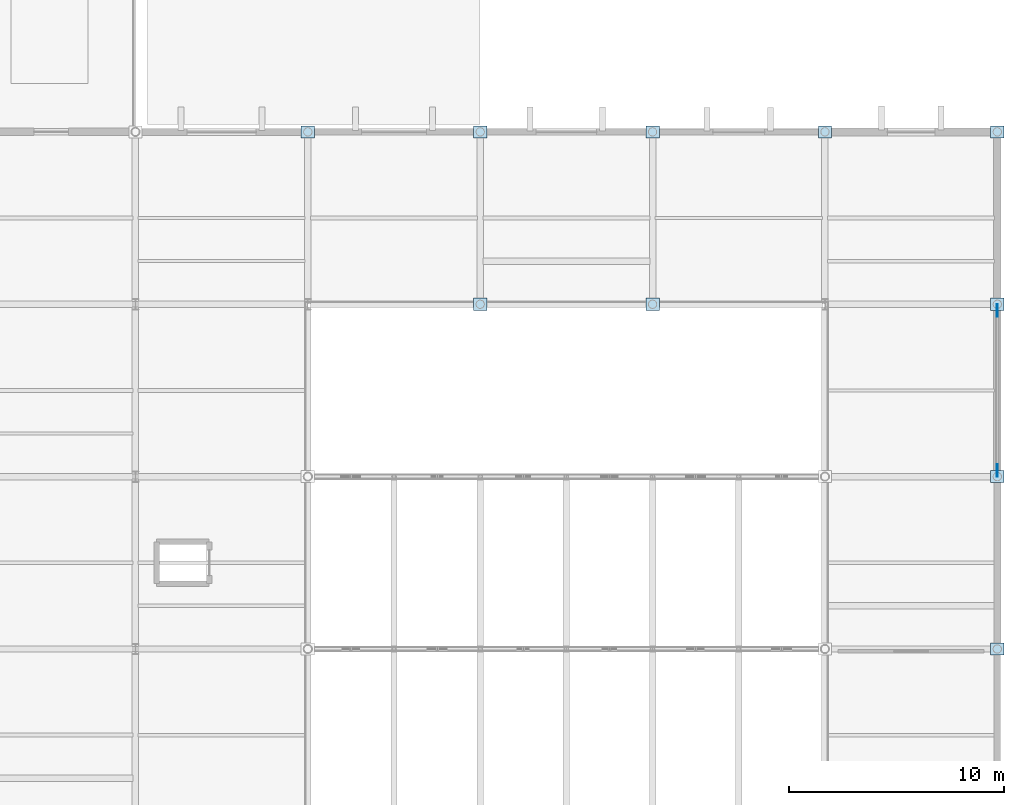
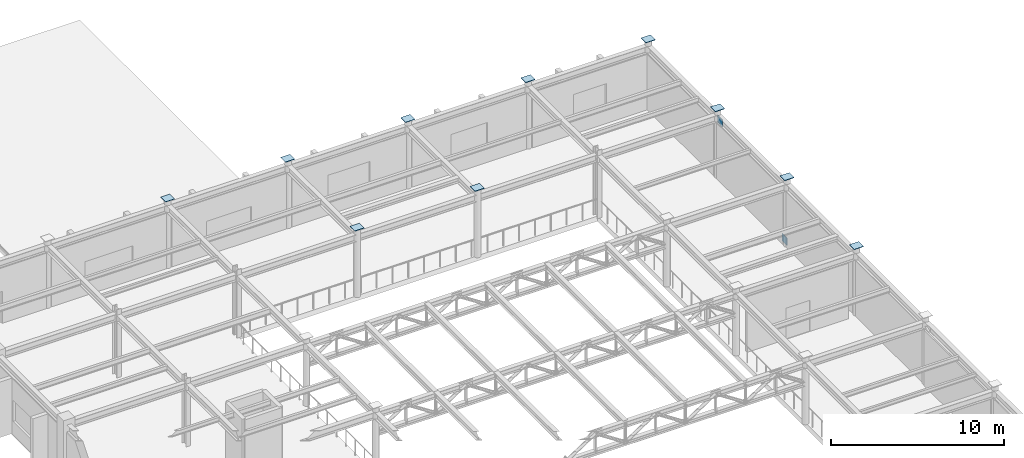
# One storey, part 29 of 46: 12 plates.
"""IFC4 building model written with IfcOpenShell, lengths in metres."""

from ifc_helpers import new_model, si_unit, direction, frame, origin, origin_2d, place, context, subcontext, project, spatial, rectangle, extrude, material, layer, layer_set, type_object, element, save


model = new_model("IFC4")

# Units and contexts
model_context = context("Model", 3, precision=1e-05, world=origin(), true_north=direction((0.0, 1.0)))
body_context = subcontext(model_context, "Body", "Model", "MODEL_VIEW")
ifc_project = project(units=[si_unit("LENGTHUNIT", "METRE"), si_unit("AREAUNIT", "SQUARE_METRE"), si_unit("VOLUMEUNIT", "CUBIC_METRE"), si_unit("PLANEANGLEUNIT", "RADIAN"), si_unit("MASSUNIT", "GRAM", prefix="KILO")], contexts=[model_context])

# Site, building, storey
site_placement = place(None, origin())
site = spatial("IfcSite", under=ifc_project, at=site_placement, CompositionType="ELEMENT")
building_placement = place(site_placement, origin())
building = spatial("IfcBuilding", under=site, at=building_placement, Name="Tazarka Park Arena", CompositionType="ELEMENT")
storey_placement = place(building_placement, frame((0.0, 0.0, 10.199951171875)))
storey = spatial("IfcBuildingStorey", under=building, at=storey_placement, Name="L02", CompositionType="ELEMENT", Elevation=10.199951171875)

# Plates
ifc_material_1 = material(Name="Steel S460", Category="steel")
ifc_layer_1 = layer(ifc_material_1, 0.030029296875, Name="Steel S460")
ifc_layer_set_1 = layer_set([ifc_layer_1], Name="Steel S460")
plate_type_1 = type_object("IfcPlateType", Name="PLT-PL-01", PredefinedType="SHEET", material=ifc_layer_set_1)
for number, where, z_axis, x_axis, name in (
    (1, (152.0, 104.0, 4.7998046875), (0.0, 0.0, 1.0), (1.0, 0.0, 0.0), "CPL-L02-19-13"),
    (2, (160.0, 96.0, 4.7998046875), (0.0, 0.0, 1.0), (1.0, 0.0, 0.0), "CPL-L02-20-12"),
    (3, (160.0, 104.0, 4.7998046875), (0.0, 0.0, 1.0), (1.0, 0.0, 0.0), "CPL-L02-20-13"),
    (4, (168.0, 96.0, 4.7998046875), (0.0, 0.0, 1.0), (1.0, 0.0, 0.0), "CPL-L02-21-12"),
    (5, (168.0, 104.0, 4.7998046875), (0.0, 0.0, 1.0), (1.0, 0.0, 0.0), "CPL-L02-21-13"),
    (6, (176.0, 104.0, 4.7998046875), (0.0, 0.0, 1.0), (1.0, 0.0, 0.0), "CPL-L02-22-13"),
    (7, (184.0, 80.0, 4.7998046875), (0.0, 0.0, 1.0), (1.0, 0.0, 0.0), "CPL-L02-23-10"),
    (8, (184.0, 88.0, 4.7998046875), (0.0, 0.0, 1.0), (1.0, 0.0, 0.0), "CPL-L02-23-11"),
    (9, (184.0, 96.0, 4.7998046875), (0.0, 0.0, 1.0), (1.0, 0.0, 0.0), "CPL-L02-23-12"),
    (10, (184.0, 104.0, 4.7998046875), (0.0, 0.0, 1.0), (1.0, 0.0, 0.0), "CPL-L02-23-13"),
):
    element("IfcPlate", number, at=place(storey_placement, frame(where, z_axis=z_axis, x_axis=x_axis)), inside=storey, type_object=plate_type_1, Name=name, PredefinedType="SHEET", context=body_context, shape_type="SweptSolid", body=[
        extrude(rectangle(XDim=0.6201171875, YDim=0.56005859375, at=origin_2d()), origin(), (0.0, 0.0, 1.0), 0.030029296875),
    ])
ifc_material_2 = material(Name="Steel S460", Category="steel")
ifc_layer_2 = layer(ifc_material_2, 0.035888671875, Name="Steel S460")
ifc_layer_set_2 = layer_set([ifc_layer_2], Name="Steel S460")
plate_type_2 = type_object("IfcPlateType", Name="PLT-PL-11", PredefinedType="USERDEFINED", material=ifc_layer_set_2)
for number, where, z_axis, x_axis, name in (
    (11, (184.0, 88.280029296875, -0.010009765625), (0.0, 0.0, 1.0), (1.0, 0.0, 0.0), "BRP-L02-03-1"),
    (12, (184.0, 95.719970703125, 3.81005859375), (0.0, 0.0, 1.0), (1.0, 0.0, 0.0), "BRP-L02-03-2"),
):
    element("IfcPlate", number, at=place(storey_placement, frame(where, z_axis=z_axis, x_axis=x_axis)), inside=storey, type_object=plate_type_2, Name=name, ObjectType="STIFFENER", PredefinedType="USERDEFINED", context=body_context, shape_type="SweptSolid", body=[
        extrude(rectangle(XDim=0.035888671875, YDim=0.580078125, at=origin_2d()), origin(), (0.0, 0.0, 1.0), 0.52001953125),
    ])

save(model, "model.ifc")
